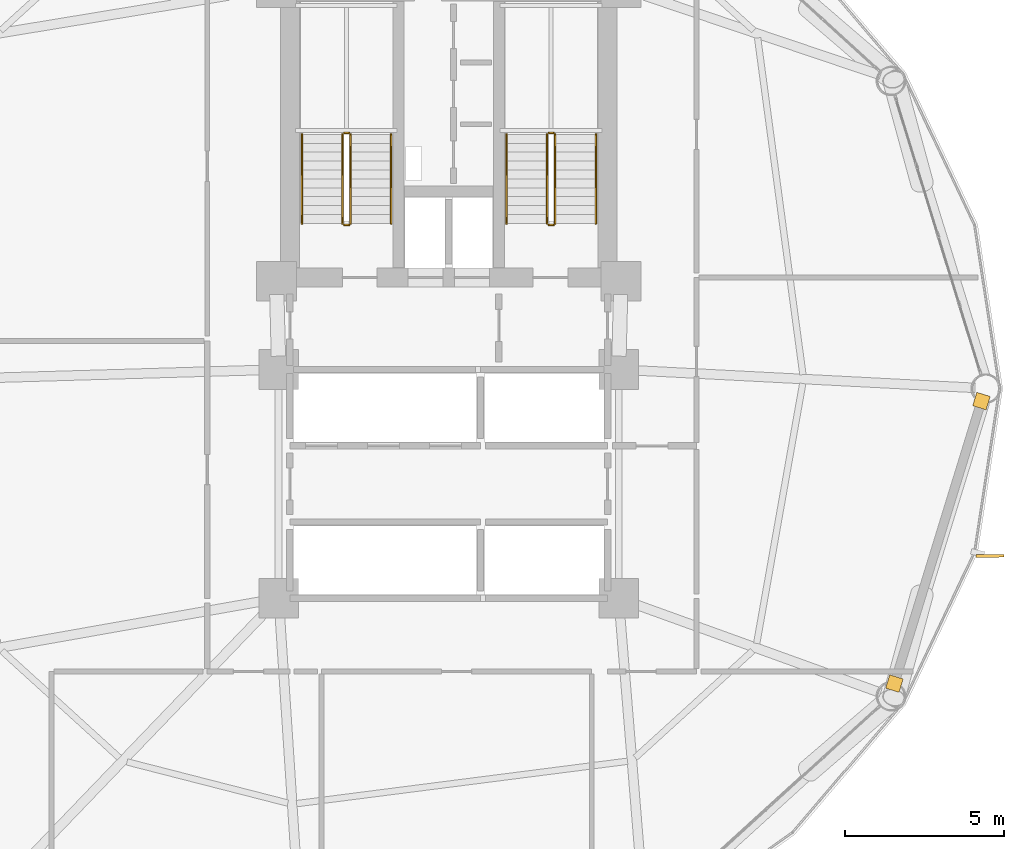
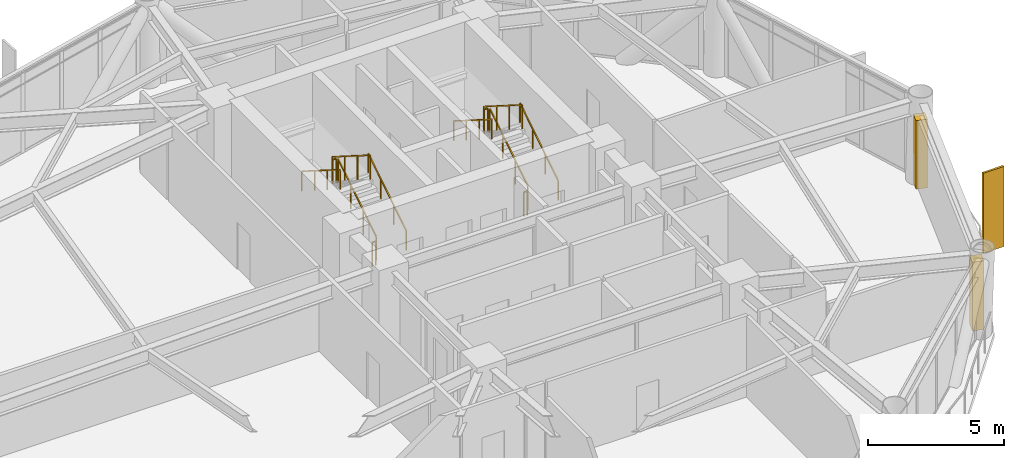
# One storey, part 24 of 25: 12 railings, 2 coverings, 1 shading device.
"""IFC4 building model written with IfcOpenShell, lengths in metres."""

from ifc_helpers import new_model, si_unit, direction, frame, origin, origin_2d, place, context, subcontext, project, spatial, rectangle, extrude, source, transform, mapped, material, layer, layer_set, type_object, type_shapes, element, save


model = new_model("IFC4")

# Units and contexts
model_context = context("Model", 3, precision=1e-05, world=origin(), true_north=direction((0.0, 1.0)))
body_context = subcontext(model_context, "Body", "Model", "MODEL_VIEW")
ifc_project = project(units=[si_unit("LENGTHUNIT", "METRE"), si_unit("AREAUNIT", "SQUARE_METRE"), si_unit("VOLUMEUNIT", "CUBIC_METRE"), si_unit("PLANEANGLEUNIT", "RADIAN"), si_unit("MASSUNIT", "GRAM", prefix="KILO")], contexts=[model_context])

# Site, building, storey
site_placement = place(None, origin())
site = spatial("IfcSite", under=ifc_project, at=site_placement, CompositionType="ELEMENT")
building_placement = place(site_placement, origin())
building = spatial("IfcBuilding", under=site, at=building_placement, Name="Varnakorn Sky Granary", CompositionType="ELEMENT")
storey_placement = place(building_placement, frame((0.0, 0.0, 58.800048828125)))
storey = spatial("IfcBuildingStorey", under=building, at=storey_placement, Name="L14", CompositionType="ELEMENT", Elevation=58.800048828125)

# Railings
ifc_material_1 = material(Name="Brushed Stainless Steel 316", Category="steel")
railing_type_1 = type_object("IfcRailingType", Name="RL-STAIR-1100", PredefinedType="GUARDRAIL", material=ifc_material_1)
railing_1_placement = place(storey_placement, frame((-0.090087890625, 5.199951171875, 0.17724609375)))
element("IfcRailing", 1, at=railing_1_placement, inside=storey, type_object=railing_type_1, Name="L14 ST-1 stair guard 1", PredefinedType="GUARDRAIL", context=body_context, shape_type="SweptSolid", body=[
    extrude(rectangle(XDim=0.048095703125, YDim=0.048095703125, at=origin_2d()), frame((0.0, 0.0, 1.076171875), z_axis=(0.0, 0.844908973607, 0.534910110503), x_axis=(-1.0, 0.0, 0.0)), (0.0, 0.0, 1.0), 3.31396484375),
    extrude(rectangle(XDim=0.0419921875, YDim=0.0419921875, at=origin_2d()), origin(), (0.0, 0.0, 1.0), 1.048095703125),
    extrude(rectangle(XDim=0.0419921875, YDim=0.0419921875, at=origin_2d()), frame((0.0, 0.933349609375, 0.5908203125)), (0.0, 0.0, 1.0), 1.048095703125),
    extrude(rectangle(XDim=0.0419921875, YDim=0.0419921875, at=origin_2d()), frame((0.0, 1.86669921875, 1.181884765625)), (0.0, 0.0, 1.0), 1.048095703125),
    extrude(rectangle(XDim=0.0419921875, YDim=0.0419921875, at=origin_2d()), frame((0.0, 2.800048828125, 1.772705078125)), (0.0, 0.0, 1.0), 1.048095703125),
])
railing_2_placement = place(storey_placement, frame((-0.139892578125, 8.050048828125, 1.949951171875)))
element("IfcRailing", 2, at=railing_2_placement, inside=storey, type_object=railing_type_1, Name="L14 ST-1 stair guard 2", PredefinedType="GUARDRAIL", context=body_context, shape_type="SweptSolid", body=[
    extrude(rectangle(XDim=0.048095703125, YDim=0.048095703125, at=origin_2d()), frame((0.0, 0.0, 1.076171875), z_axis=(-1.0, 0.0, 0.0), x_axis=(0.0, -1.0, 0.0)), (0.0, 0.0, 1.0), 0.150146484375),
    extrude(rectangle(XDim=0.0419921875, YDim=0.0419921875, at=origin_2d()), origin(), (0.0, 0.0, 1.0), 1.048095703125),
    extrude(rectangle(XDim=0.0419921875, YDim=0.0419921875, at=origin_2d()), frame((-0.150146484375, 0.0, 0.0)), (0.0, 0.0, 1.0), 1.048095703125),
])
railing_3_placement = place(storey_placement, frame((-0.340087890625, 8.0, 2.127197265625)))
element("IfcRailing", 3, at=railing_3_placement, inside=storey, type_object=railing_type_1, Name="L14 ST-1 stair guard 3", PredefinedType="GUARDRAIL", context=body_context, shape_type="SweptSolid", body=[
    extrude(rectangle(XDim=0.048095703125, YDim=0.048095703125, at=origin_2d()), frame((0.0, 0.0, 1.076171875), z_axis=(0.0, -0.844908973607, 0.534910110503), x_axis=(1.0, 0.0, 0.0)), (0.0, 0.0, 1.0), 3.31396484375),
    extrude(rectangle(XDim=0.0419921875, YDim=0.0419921875, at=origin_2d()), origin(), (0.0, 0.0, 1.0), 1.048095703125),
    extrude(rectangle(XDim=0.0419921875, YDim=0.0419921875, at=origin_2d()), frame((0.0, -0.933349609375, 0.5908203125)), (0.0, 0.0, 1.0), 1.048095703125),
    extrude(rectangle(XDim=0.0419921875, YDim=0.0419921875, at=origin_2d()), frame((0.0, -1.86669921875, 1.181884765625)), (0.0, 0.0, 1.0), 1.048095703125),
    extrude(rectangle(XDim=0.0419921875, YDim=0.0419921875, at=origin_2d()), frame((0.0, -2.800048828125, 1.772705078125)), (0.0, 0.0, 1.0), 1.048095703125),
])
railing_4_placement = place(storey_placement, frame((-0.139892578125, 5.14990234375, 0.0)))
element("IfcRailing", 4, at=railing_4_placement, inside=storey, type_object=railing_type_1, Name="L14 ST-1 stair guard 4", PredefinedType="GUARDRAIL", context=body_context, shape_type="SweptSolid", body=[
    extrude(rectangle(XDim=0.048095703125, YDim=0.048095703125, at=origin_2d()), frame((0.0, 0.0, 1.076171875), z_axis=(-1.0, 0.0, 0.0), x_axis=(0.0, -1.0, 0.0)), (0.0, 0.0, 1.0), 0.150146484375),
    extrude(rectangle(XDim=0.0419921875, YDim=0.0419921875, at=origin_2d()), origin(), (0.0, 0.0, 1.0), 1.048095703125),
    extrude(rectangle(XDim=0.0419921875, YDim=0.0419921875, at=origin_2d()), frame((-0.150146484375, 0.0, 0.0)), (0.0, 0.0, 1.0), 1.048095703125),
])
railing_5_placement = place(storey_placement, frame((6.35009765625, 5.199951171875, 0.17724609375)))
element("IfcRailing", 5, at=railing_5_placement, inside=storey, type_object=railing_type_1, Name="L14 ST-2 stair guard 1", PredefinedType="GUARDRAIL", context=body_context, shape_type="SweptSolid", body=[
    extrude(rectangle(XDim=0.048095703125, YDim=0.048095703125, at=origin_2d()), frame((0.0, 0.0, 1.076171875), z_axis=(0.0, 0.844908973607, 0.534910110503), x_axis=(-1.0, 0.0, 0.0)), (0.0, 0.0, 1.0), 3.31396484375),
    extrude(rectangle(XDim=0.0419921875, YDim=0.0419921875, at=origin_2d()), origin(), (0.0, 0.0, 1.0), 1.048095703125),
    extrude(rectangle(XDim=0.0419921875, YDim=0.0419921875, at=origin_2d()), frame((0.0, 0.933349609375, 0.5908203125)), (0.0, 0.0, 1.0), 1.048095703125),
    extrude(rectangle(XDim=0.0419921875, YDim=0.0419921875, at=origin_2d()), frame((0.0, 1.86669921875, 1.181884765625)), (0.0, 0.0, 1.0), 1.048095703125),
    extrude(rectangle(XDim=0.0419921875, YDim=0.0419921875, at=origin_2d()), frame((0.0, 2.800048828125, 1.772705078125)), (0.0, 0.0, 1.0), 1.048095703125),
])
railing_6_placement = place(storey_placement, frame((6.300048828125, 8.050048828125, 1.949951171875)))
element("IfcRailing", 6, at=railing_6_placement, inside=storey, type_object=railing_type_1, Name="L14 ST-2 stair guard 2", PredefinedType="GUARDRAIL", context=body_context, shape_type="SweptSolid", body=[
    extrude(rectangle(XDim=0.048095703125, YDim=0.048095703125, at=origin_2d()), frame((0.0, 0.0, 1.076171875), z_axis=(-1.0, 0.0, 0.0), x_axis=(0.0, -1.0, 0.0)), (0.0, 0.0, 1.0), 0.150146484375),
    extrude(rectangle(XDim=0.0419921875, YDim=0.0419921875, at=origin_2d()), origin(), (0.0, 0.0, 1.0), 1.048095703125),
    extrude(rectangle(XDim=0.0419921875, YDim=0.0419921875, at=origin_2d()), frame((-0.150146484375, 0.0, 0.0)), (0.0, 0.0, 1.0), 1.048095703125),
])
railing_7_placement = place(storey_placement, frame((6.10009765625, 8.0, 2.127197265625)))
element("IfcRailing", 7, at=railing_7_placement, inside=storey, type_object=railing_type_1, Name="L14 ST-2 stair guard 3", PredefinedType="GUARDRAIL", context=body_context, shape_type="SweptSolid", body=[
    extrude(rectangle(XDim=0.048095703125, YDim=0.048095703125, at=origin_2d()), frame((0.0, 0.0, 1.076171875), z_axis=(0.0, -0.844908973607, 0.534910110503), x_axis=(1.0, 0.0, 0.0)), (0.0, 0.0, 1.0), 3.31396484375),
    extrude(rectangle(XDim=0.0419921875, YDim=0.0419921875, at=origin_2d()), origin(), (0.0, 0.0, 1.0), 1.048095703125),
    extrude(rectangle(XDim=0.0419921875, YDim=0.0419921875, at=origin_2d()), frame((0.0, -0.933349609375, 0.5908203125)), (0.0, 0.0, 1.0), 1.048095703125),
    extrude(rectangle(XDim=0.0419921875, YDim=0.0419921875, at=origin_2d()), frame((0.0, -1.86669921875, 1.181884765625)), (0.0, 0.0, 1.0), 1.048095703125),
    extrude(rectangle(XDim=0.0419921875, YDim=0.0419921875, at=origin_2d()), frame((0.0, -2.800048828125, 1.772705078125)), (0.0, 0.0, 1.0), 1.048095703125),
])
railing_8_placement = place(storey_placement, frame((6.300048828125, 5.14990234375, 0.0)))
element("IfcRailing", 8, at=railing_8_placement, inside=storey, type_object=railing_type_1, Name="L14 ST-2 stair guard 4", PredefinedType="GUARDRAIL", context=body_context, shape_type="SweptSolid", body=[
    extrude(rectangle(XDim=0.048095703125, YDim=0.048095703125, at=origin_2d()), frame((0.0, 0.0, 1.076171875), z_axis=(-1.0, 0.0, 0.0), x_axis=(0.0, -1.0, 0.0)), (0.0, 0.0, 1.0), 0.150146484375),
    extrude(rectangle(XDim=0.0419921875, YDim=0.0419921875, at=origin_2d()), origin(), (0.0, 0.0, 1.0), 1.048095703125),
    extrude(rectangle(XDim=0.0419921875, YDim=0.0419921875, at=origin_2d()), frame((-0.150146484375, 0.0, 0.0)), (0.0, 0.0, 1.0), 1.048095703125),
])
railing_type_2 = type_object("IfcRailingType", Name="RL-STAIR-920", PredefinedType="HANDRAIL", material=ifc_material_1)
railing_9_placement = place(storey_placement, frame((1.18994140625, 5.199951171875, 0.17724609375)))
element("IfcRailing", 9, at=railing_9_placement, inside=storey, type_object=railing_type_2, Name="L14 ST-1 stair handrail 1", PredefinedType="HANDRAIL", context=body_context, shape_type="SweptSolid", body=[
    extrude(rectangle(XDim=0.048095703125, YDim=0.048095703125, at=origin_2d()), frame((0.0, 0.0, 0.8759765625), z_axis=(0.0, 0.844908973607, 0.534910110503), x_axis=(-1.0, 0.0, 0.0)), (0.0, 0.0, 1.0), 3.31396484375),
    extrude(rectangle(XDim=0.0419921875, YDim=0.0419921875, at=origin_2d()), origin(), (0.0, 0.0, 1.0), 0.847900390625),
    extrude(rectangle(XDim=0.0419921875, YDim=0.0419921875, at=origin_2d()), frame((0.0, 0.933349609375, 0.5908203125)), (0.0, 0.0, 1.0), 0.847900390625),
    extrude(rectangle(XDim=0.0419921875, YDim=0.0419921875, at=origin_2d()), frame((0.0, 1.86669921875, 1.181884765625)), (0.0, 0.0, 1.0), 0.847900390625),
    extrude(rectangle(XDim=0.0419921875, YDim=0.0419921875, at=origin_2d()), frame((0.0, 2.800048828125, 1.772705078125)), (0.0, 0.0, 1.0), 0.847900390625),
])
railing_10_placement = place(storey_placement, frame((-1.6201171875, 8.0, 2.127197265625)))
element("IfcRailing", 10, at=railing_10_placement, inside=storey, type_object=railing_type_2, Name="L14 ST-1 stair handrail 2", PredefinedType="HANDRAIL", context=body_context, shape_type="SweptSolid", body=[
    extrude(rectangle(XDim=0.048095703125, YDim=0.048095703125, at=origin_2d()), frame((0.0, 0.0, 0.8759765625), z_axis=(0.0, -0.844908973607, 0.534910110503), x_axis=(1.0, 0.0, 0.0)), (0.0, 0.0, 1.0), 3.31396484375),
    extrude(rectangle(XDim=0.0419921875, YDim=0.0419921875, at=origin_2d()), origin(), (0.0, 0.0, 1.0), 0.847900390625),
    extrude(rectangle(XDim=0.0419921875, YDim=0.0419921875, at=origin_2d()), frame((0.0, -0.933349609375, 0.5908203125)), (0.0, 0.0, 1.0), 0.847900390625),
    extrude(rectangle(XDim=0.0419921875, YDim=0.0419921875, at=origin_2d()), frame((0.0, -1.86669921875, 1.181884765625)), (0.0, 0.0, 1.0), 0.847900390625),
    extrude(rectangle(XDim=0.0419921875, YDim=0.0419921875, at=origin_2d()), frame((0.0, -2.800048828125, 1.772705078125)), (0.0, 0.0, 1.0), 0.847900390625),
])
railing_11_placement = place(storey_placement, frame((7.6298828125, 5.199951171875, 0.17724609375)))
element("IfcRailing", 11, at=railing_11_placement, inside=storey, type_object=railing_type_2, Name="L14 ST-2 stair handrail 1", PredefinedType="HANDRAIL", context=body_context, shape_type="SweptSolid", body=[
    extrude(rectangle(XDim=0.048095703125, YDim=0.048095703125, at=origin_2d()), frame((0.0, 0.0, 0.8759765625), z_axis=(0.0, 0.844908973607, 0.534910110503), x_axis=(-1.0, 0.0, 0.0)), (0.0, 0.0, 1.0), 3.31396484375),
    extrude(rectangle(XDim=0.0419921875, YDim=0.0419921875, at=origin_2d()), origin(), (0.0, 0.0, 1.0), 0.847900390625),
    extrude(rectangle(XDim=0.0419921875, YDim=0.0419921875, at=origin_2d()), frame((0.0, 0.933349609375, 0.5908203125)), (0.0, 0.0, 1.0), 0.847900390625),
    extrude(rectangle(XDim=0.0419921875, YDim=0.0419921875, at=origin_2d()), frame((0.0, 1.86669921875, 1.181884765625)), (0.0, 0.0, 1.0), 0.847900390625),
    extrude(rectangle(XDim=0.0419921875, YDim=0.0419921875, at=origin_2d()), frame((0.0, 2.800048828125, 1.772705078125)), (0.0, 0.0, 1.0), 0.847900390625),
])
railing_12_placement = place(storey_placement, frame((4.820068359375, 8.0, 2.127197265625)))
element("IfcRailing", 12, at=railing_12_placement, inside=storey, type_object=railing_type_2, Name="L14 ST-2 stair handrail 2", PredefinedType="HANDRAIL", context=body_context, shape_type="SweptSolid", body=[
    extrude(rectangle(XDim=0.048095703125, YDim=0.048095703125, at=origin_2d()), frame((0.0, 0.0, 0.8759765625), z_axis=(0.0, -0.844908973607, 0.534910110503), x_axis=(1.0, 0.0, 0.0)), (0.0, 0.0, 1.0), 3.31396484375),
    extrude(rectangle(XDim=0.0419921875, YDim=0.0419921875, at=origin_2d()), origin(), (0.0, 0.0, 1.0), 0.847900390625),
    extrude(rectangle(XDim=0.0419921875, YDim=0.0419921875, at=origin_2d()), frame((0.0, -0.933349609375, 0.5908203125)), (0.0, 0.0, 1.0), 0.847900390625),
    extrude(rectangle(XDim=0.0419921875, YDim=0.0419921875, at=origin_2d()), frame((0.0, -1.86669921875, 1.181884765625)), (0.0, 0.0, 1.0), 0.847900390625),
    extrude(rectangle(XDim=0.0419921875, YDim=0.0419921875, at=origin_2d()), frame((0.0, -2.800048828125, 1.772705078125)), (0.0, 0.0, 1.0), 0.847900390625),
])

# Shading device
ifc_material_2 = material(Name="Anodised Bronze Aluminium Alloy 6063-T6", Category="aluminium")
shading_device_type = type_object("IfcShadingDeviceType", Name="SH-FIN-01", PredefinedType="USERDEFINED", material=ifc_material_2)
shared_shape_1 = source(origin(), body_context, "Body", "SweptSolid", [
    extrude(rectangle(XDim=0.0849609375, YDim=0.8798828125, at=origin_2d()), origin(), (0.0, 0.0, 1.0), 3.60009765625),
])
type_shapes(shading_device_type, [shared_shape_1])
shading_device_placement = place(storey_placement, frame((20.0361328125, -5.267578125, -0.0400390625), z_axis=(0.0, 0.0, 1.0), x_axis=(-0.007845817733, 0.999969221098, 0.0)))
element("IfcShadingDevice", 13, at=shading_device_placement, inside=storey, type_object=shading_device_type, Name="Bronze Solar-Tracking Vertical Blade FIN L14-12", ObjectType="FIN", PredefinedType="USERDEFINED", context=body_context, shape_type="MappedRepresentation", body=[
    mapped(shared_shape_1, transform((0.0, 0.0, 0.0), x_axis=(1.0, 0.0, 0.0), y_axis=(0.0, 1.0, 0.0), z_axis=(0.0, 0.0, 1.0), scale=1.0)),
])

# Coverings
ifc_layer = layer(ifc_material_2, 0.050048828125, Name="Anodised Bronze Aluminium Alloy 6063-T6")
ifc_layer_set = layer_set([ifc_layer], Name="Anodised Bronze Aluminium Alloy 6063-T6")
covering_type = type_object("IfcCoveringType", Name="CV-CLAD-50", PredefinedType="CLADDING", material=ifc_layer_set)
shared_shape_2 = source(origin(), body_context, "Body", "SweptSolid", [
    extrude(rectangle(XDim=0.43994140625, YDim=0.43994140625, at=origin_2d()), origin(), (0.0, 0.0, 1.0), 3.080078125),
])
type_shapes(covering_type, [shared_shape_2])
for number, where, z_axis, x_axis, name in (
    (14, (19.7666015625, -0.393798828125, -0.02001953125), (0.0, 0.0, 1.0), (-0.294540736955, -0.955638924633, 0.0), "Bronze Corner Pilaster Closure L14-P12-A"),
    (15, (17.02685546875, -9.28369140625, -0.02001953125), (0.0, 0.0, 1.0), (-0.294540736955, -0.955638924633, 0.0), "Bronze Corner Pilaster Closure L14-P12-B"),
):
    element("IfcCovering", number, at=place(storey_placement, frame(where, z_axis=z_axis, x_axis=x_axis)), inside=storey, type_object=covering_type, Name=name, PredefinedType="CLADDING", context=body_context, shape_type="MappedRepresentation", body=[
        mapped(shared_shape_2, transform((0.0, 0.0, 0.0), x_axis=(1.0, 0.0, 0.0), y_axis=(0.0, 1.0, 0.0), z_axis=(0.0, 0.0, 1.0), scale=1.0)),
    ])

save(model, "model.ifc")
